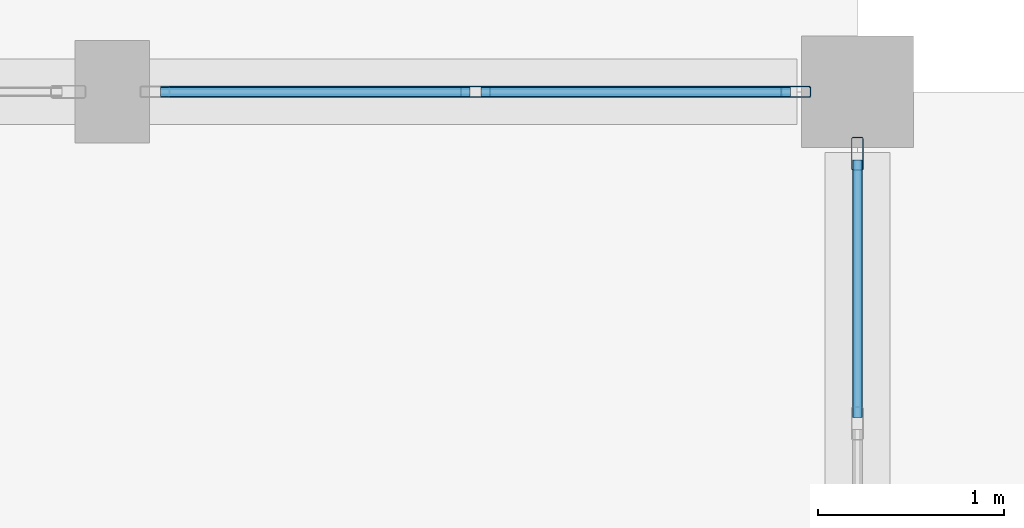
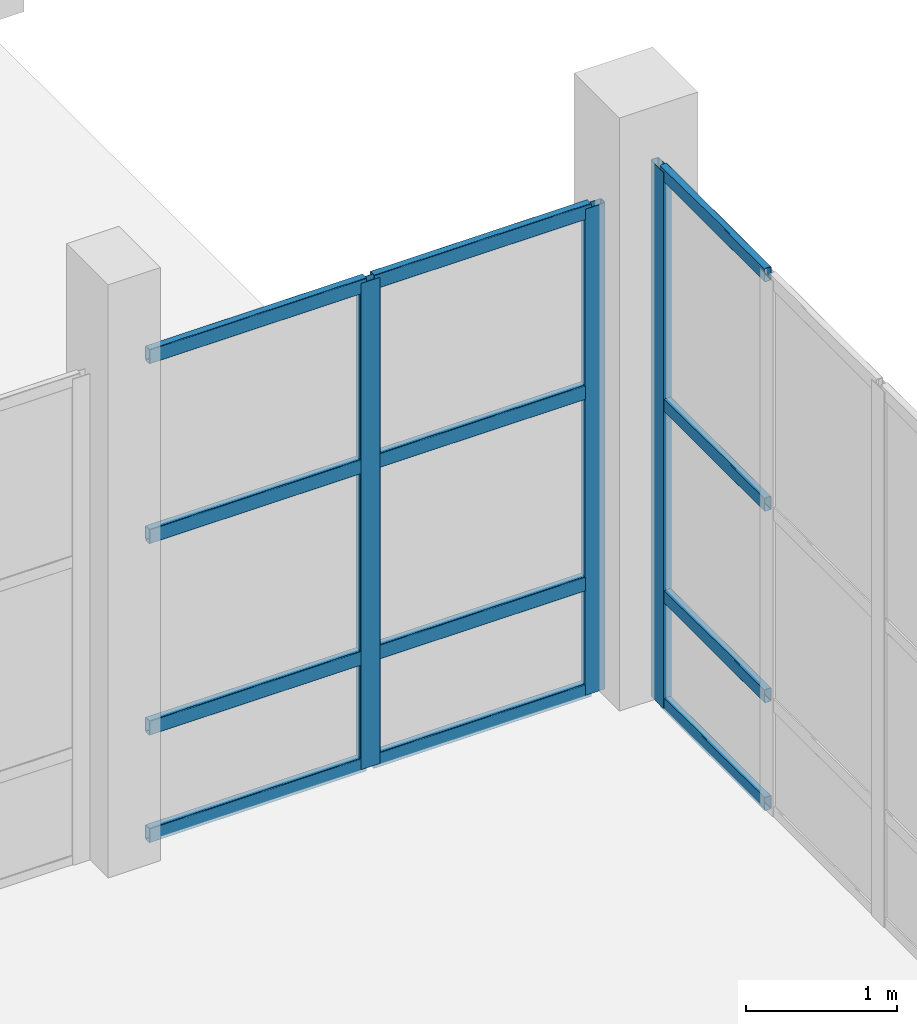
# One storey, part 72 of 156: 15 members, 2 elements without a shape of their own.
"""IFC4 building model written with IfcOpenShell, lengths in metres."""

from ifc_helpers import new_model, si_unit, direction, frame, origin, origin_2d, place, context, subcontext, project, spatial, hollow_rectangle, extrude, material, material_profile, profile_set, type_object, element, aggregate, save


model = new_model("IFC4")

# Units and contexts
model_context = context("Model", 3, precision=1e-05, world=origin(), true_north=direction((0.0, 1.0)))
body_context = subcontext(model_context, "Body", "Model", "MODEL_VIEW")
ifc_project = project(units=[si_unit("LENGTHUNIT", "METRE"), si_unit("AREAUNIT", "SQUARE_METRE"), si_unit("VOLUMEUNIT", "CUBIC_METRE"), si_unit("PLANEANGLEUNIT", "RADIAN"), si_unit("MASSUNIT", "GRAM", prefix="KILO")], contexts=[model_context])

# Site, building, storey
site_placement = place(None, origin())
site = spatial("IfcSite", under=ifc_project, at=site_placement, CompositionType="ELEMENT")
building_placement = place(site_placement, origin())
building = spatial("IfcBuilding", under=site, at=building_placement, Name="Luwemba Playhouse", CompositionType="ELEMENT")
storey_placement = place(building_placement, origin())
storey = spatial("IfcBuildingStorey", under=building, at=storey_placement, Name="L00", CompositionType="ELEMENT", Elevation=0.0)

# Curtain wall, members
ifc_material_1 = material(Name="Solar-control double glazing", Category="glass")
curtain_wall_type_1 = type_object("IfcCurtainWallType", Name="CW-CW57", PredefinedType="USERDEFINED", material=ifc_material_1)
curtain_wall_1_placement = place(storey_placement, origin())
curtain_wall_1 = element("IfcCurtainWall", 1, at=curtain_wall_1_placement, inside=storey, type_object=curtain_wall_type_1, Name="L00 V5E unitised curtain wall 067", ObjectType="UNITISED GLAZING", PredefinedType="USERDEFINED")
ifc_material_2 = material(Name="Aluminium 6063-T6", Category="aluminium")
ifc_material_profile_1 = material_profile(ifc_material_2, hollow_rectangle(XDim=0.06005859375, YDim=0.159912109375, WallThickness=0.00390625, InnerFilletRadius=0.006103515625, OuterFilletRadius=0.010009765625, at=origin_2d()))
ifc_profile_set_1 = profile_set([ifc_material_profile_1], Name="Aluminium 6063-T6")
member_type_1 = type_object("IfcMemberType", Name="CWM-M1", PredefinedType="MULLION", material=ifc_profile_set_1)
member_1_placement = place(storey_placement, frame((169.949951171875, 27.0, 0.0), z_axis=(0.0, 0.0, 1.0), x_axis=(0.0, 1.0, 0.0)))
member_1 = element("IfcMember", 2, at=member_1_placement, type_object=member_type_1, Name="CW57 mullion 2", PredefinedType="MULLION", context=body_context, shape_type="SweptSolid", body=[
    extrude(hollow_rectangle(XDim=0.06005859375, YDim=0.159912109375, WallThickness=0.00390625, InnerFilletRadius=0.006103515625, OuterFilletRadius=0.010009765625, at=origin_2d()), origin(), (0.0, 0.0, 1.0), 3.93505859375),
])
member_2_placement = place(storey_placement, frame((171.669921875, 27.0, 0.0), z_axis=(0.0, 0.0, 1.0), x_axis=(0.0, 1.0, 0.0)))
member_2 = element("IfcMember", 3, at=member_2_placement, type_object=member_type_1, Name="CW57 mullion 3", PredefinedType="MULLION", context=body_context, shape_type="SweptSolid", body=[
    extrude(hollow_rectangle(XDim=0.06005859375, YDim=0.159912109375, WallThickness=0.00390625, InnerFilletRadius=0.006103515625, OuterFilletRadius=0.010009765625, at=origin_2d()), origin(), (0.0, 0.0, 1.0), 3.93505859375),
])

# Curtain wall, member
curtain_wall_type_2 = type_object("IfcCurtainWallType", Name="CW-CW58", PredefinedType="USERDEFINED", material=ifc_material_1)
curtain_wall_2_placement = place(storey_placement, origin())
curtain_wall_2 = element("IfcCurtainWall", 4, at=curtain_wall_2_placement, inside=storey, type_object=curtain_wall_type_2, Name="L00 V5E unitised curtain wall 068", ObjectType="UNITISED GLAZING", PredefinedType="USERDEFINED")
ifc_material_profile_2 = material_profile(ifc_material_2, hollow_rectangle(XDim=0.06494140625, YDim=0.179931640625, WallThickness=0.00439453125, InnerFilletRadius=0.0068359375, OuterFilletRadius=0.01123046875, at=origin_2d()))
ifc_profile_set_2 = profile_set([ifc_material_profile_2], Name="Aluminium 6063-T6")
member_type_2 = type_object("IfcMemberType", Name="CWM-M2", PredefinedType="MULLION", material=ifc_profile_set_2)
member_3_placement = place(storey_placement, frame((172.0, 26.66748046875, 0.0), z_axis=(0.0, 0.0, 1.0), x_axis=(1.0, 0.0, 0.0)))
member_3 = element("IfcMember", 5, at=member_3_placement, type_object=member_type_2, Name="CW58 mullion 1", PredefinedType="MULLION", context=body_context, shape_type="SweptSolid", body=[
    extrude(hollow_rectangle(XDim=0.06494140625, YDim=0.179931640625, WallThickness=0.00439453125, InnerFilletRadius=0.0068359375, OuterFilletRadius=0.01123046875, at=origin_2d()), origin(), (0.0, 0.0, 1.0), 4.3349609375),
])

# Member
ifc_material_profile_3 = material_profile(ifc_material_2, hollow_rectangle(XDim=0.06005859375, YDim=0.1201171875, WallThickness=0.00390625, InnerFilletRadius=0.006103515625, OuterFilletRadius=0.010009765625, at=origin_2d()))
ifc_profile_set_3 = profile_set([ifc_material_profile_3], Name="Aluminium 6063-T6")
member_type_3 = type_object("IfcMemberType", Name="CWT-T1", PredefinedType="USERDEFINED", material=ifc_profile_set_3)
member_4_placement = place(storey_placement, frame((168.260009765625, 27.0, 0.030029296875), z_axis=(1.0, 0.0, 0.0), x_axis=(0.0, 1.0, 0.0)))
member_4 = element("IfcMember", 6, at=member_4_placement, type_object=member_type_3, Name="CW57 transom 1.1", ObjectType="TRANSOM", PredefinedType="USERDEFINED", context=body_context, shape_type="SweptSolid", body=[
    extrude(hollow_rectangle(XDim=0.06005859375, YDim=0.1201171875, WallThickness=0.00390625, InnerFilletRadius=0.006103515625, OuterFilletRadius=0.010009765625, at=origin_2d()), origin(), (0.0, 0.0, 1.0), 1.659912109375),
])

member_5_placement = place(storey_placement, frame((168.260009765625, 27.0, 0.89990234375), z_axis=(1.0, 0.0, 0.0), x_axis=(0.0, 1.0, 0.0)))
member_5 = element("IfcMember", 7, at=member_5_placement, type_object=member_type_3, Name="CW57 transom 1.2", ObjectType="TRANSOM", PredefinedType="USERDEFINED", context=body_context, shape_type="SweptSolid", body=[
    extrude(hollow_rectangle(XDim=0.06005859375, YDim=0.1201171875, WallThickness=0.00390625, InnerFilletRadius=0.006103515625, OuterFilletRadius=0.010009765625, at=origin_2d()), origin(), (0.0, 0.0, 1.0), 1.659912109375),
])

member_6_placement = place(storey_placement, frame((168.260009765625, 27.0, 2.449951171875), z_axis=(1.0, 0.0, 0.0), x_axis=(0.0, 1.0, 0.0)))
member_6 = element("IfcMember", 8, at=member_6_placement, type_object=member_type_3, Name="CW57 transom 1.3", ObjectType="TRANSOM", PredefinedType="USERDEFINED", context=body_context, shape_type="SweptSolid", body=[
    extrude(hollow_rectangle(XDim=0.06005859375, YDim=0.1201171875, WallThickness=0.00390625, InnerFilletRadius=0.006103515625, OuterFilletRadius=0.010009765625, at=origin_2d()), origin(), (0.0, 0.0, 1.0), 1.659912109375),
])

member_7_placement = place(storey_placement, frame((168.260009765625, 27.0, 3.905029296875), z_axis=(1.0, 0.0, 0.0), x_axis=(0.0, 1.0, 0.0)))
member_7 = element("IfcMember", 9, at=member_7_placement, type_object=member_type_3, Name="CW57 transom 1.4", ObjectType="TRANSOM", PredefinedType="USERDEFINED", context=body_context, shape_type="SweptSolid", body=[
    extrude(hollow_rectangle(XDim=0.06005859375, YDim=0.1201171875, WallThickness=0.00390625, InnerFilletRadius=0.006103515625, OuterFilletRadius=0.010009765625, at=origin_2d()), origin(), (0.0, 0.0, 1.0), 1.659912109375),
])

member_8_placement = place(storey_placement, frame((169.97998046875, 27.0, 0.030029296875), z_axis=(1.0, 0.0, 0.0), x_axis=(0.0, 1.0, 0.0)))
member_8 = element("IfcMember", 10, at=member_8_placement, type_object=member_type_3, Name="CW57 transom 2.1", ObjectType="TRANSOM", PredefinedType="USERDEFINED", context=body_context, shape_type="SweptSolid", body=[
    extrude(hollow_rectangle(XDim=0.06005859375, YDim=0.1201171875, WallThickness=0.00390625, InnerFilletRadius=0.006103515625, OuterFilletRadius=0.010009765625, at=origin_2d()), origin(), (0.0, 0.0, 1.0), 1.659912109375),
])

member_9_placement = place(storey_placement, frame((169.97998046875, 27.0, 0.89990234375), z_axis=(1.0, 0.0, 0.0), x_axis=(0.0, 1.0, 0.0)))
member_9 = element("IfcMember", 11, at=member_9_placement, type_object=member_type_3, Name="CW57 transom 2.2", ObjectType="TRANSOM", PredefinedType="USERDEFINED", context=body_context, shape_type="SweptSolid", body=[
    extrude(hollow_rectangle(XDim=0.06005859375, YDim=0.1201171875, WallThickness=0.00390625, InnerFilletRadius=0.006103515625, OuterFilletRadius=0.010009765625, at=origin_2d()), origin(), (0.0, 0.0, 1.0), 1.659912109375),
])

member_10_placement = place(storey_placement, frame((169.97998046875, 27.0, 2.449951171875), z_axis=(1.0, 0.0, 0.0), x_axis=(0.0, 1.0, 0.0)))
member_10 = element("IfcMember", 12, at=member_10_placement, type_object=member_type_3, Name="CW57 transom 2.3", ObjectType="TRANSOM", PredefinedType="USERDEFINED", context=body_context, shape_type="SweptSolid", body=[
    extrude(hollow_rectangle(XDim=0.06005859375, YDim=0.1201171875, WallThickness=0.00390625, InnerFilletRadius=0.006103515625, OuterFilletRadius=0.010009765625, at=origin_2d()), origin(), (0.0, 0.0, 1.0), 1.659912109375),
])

member_11_placement = place(storey_placement, frame((169.97998046875, 27.0, 3.905029296875), z_axis=(1.0, 0.0, 0.0), x_axis=(0.0, 1.0, 0.0)))
member_11 = element("IfcMember", 13, at=member_11_placement, type_object=member_type_3, Name="CW57 transom 2.4", ObjectType="TRANSOM", PredefinedType="USERDEFINED", context=body_context, shape_type="SweptSolid", body=[
    extrude(hollow_rectangle(XDim=0.06005859375, YDim=0.1201171875, WallThickness=0.00390625, InnerFilletRadius=0.006103515625, OuterFilletRadius=0.010009765625, at=origin_2d()), origin(), (0.0, 0.0, 1.0), 1.659912109375),
])

aggregate(curtain_wall_1, [member_1, member_2, member_4, member_5, member_6, member_7, member_8, member_9, member_10, member_11])

ifc_material_profile_4 = material_profile(ifc_material_2, hollow_rectangle(XDim=0.054931640625, YDim=0.110107421875, WallThickness=0.00341796875, InnerFilletRadius=0.00537109375, OuterFilletRadius=0.0087890625, at=origin_2d()))
ifc_profile_set_4 = profile_set([ifc_material_profile_4], Name="Aluminium 6063-T6")
member_type_4 = type_object("IfcMemberType", Name="CWT-T2", PredefinedType="USERDEFINED", material=ifc_profile_set_4)
member_12_placement = place(storey_placement, frame((172.0, 26.635009765625, 0.027587890625), z_axis=(0.0, -1.0, 0.0), x_axis=(1.0, 0.0, 0.0)))
member_12 = element("IfcMember", 14, at=member_12_placement, type_object=member_type_4, Name="CW58 transom 1.1", ObjectType="TRANSOM", PredefinedType="USERDEFINED", context=body_context, shape_type="SweptSolid", body=[
    extrude(hollow_rectangle(XDim=0.054931640625, YDim=0.110107421875, WallThickness=0.00341796875, InnerFilletRadius=0.00537109375, OuterFilletRadius=0.0087890625, at=origin_2d()), origin(), (0.0, 0.0, 1.0), 1.382568359375),
])

member_13_placement = place(storey_placement, frame((172.0, 26.635009765625, 0.89990234375), z_axis=(0.0, -1.0, 0.0), x_axis=(1.0, 0.0, 0.0)))
member_13 = element("IfcMember", 15, at=member_13_placement, type_object=member_type_4, Name="CW58 transom 1.2", ObjectType="TRANSOM", PredefinedType="USERDEFINED", context=body_context, shape_type="SweptSolid", body=[
    extrude(hollow_rectangle(XDim=0.054931640625, YDim=0.110107421875, WallThickness=0.00341796875, InnerFilletRadius=0.00537109375, OuterFilletRadius=0.0087890625, at=origin_2d()), origin(), (0.0, 0.0, 1.0), 1.382568359375),
])

member_14_placement = place(storey_placement, frame((172.0, 26.635009765625, 2.449951171875), z_axis=(0.0, -1.0, 0.0), x_axis=(1.0, 0.0, 0.0)))
member_14 = element("IfcMember", 16, at=member_14_placement, type_object=member_type_4, Name="CW58 transom 1.3", ObjectType="TRANSOM", PredefinedType="USERDEFINED", context=body_context, shape_type="SweptSolid", body=[
    extrude(hollow_rectangle(XDim=0.054931640625, YDim=0.110107421875, WallThickness=0.00341796875, InnerFilletRadius=0.00537109375, OuterFilletRadius=0.0087890625, at=origin_2d()), origin(), (0.0, 0.0, 1.0), 1.382568359375),
])

member_15_placement = place(storey_placement, frame((172.0, 26.635009765625, 4.3076171875), z_axis=(0.0, -1.0, 0.0), x_axis=(1.0, 0.0, 0.0)))
member_15 = element("IfcMember", 17, at=member_15_placement, type_object=member_type_4, Name="CW58 transom 1.4", ObjectType="TRANSOM", PredefinedType="USERDEFINED", context=body_context, shape_type="SweptSolid", body=[
    extrude(hollow_rectangle(XDim=0.054931640625, YDim=0.110107421875, WallThickness=0.00341796875, InnerFilletRadius=0.00537109375, OuterFilletRadius=0.0087890625, at=origin_2d()), origin(), (0.0, 0.0, 1.0), 1.382568359375),
])

aggregate(curtain_wall_2, [member_3, member_12, member_13, member_14, member_15])

save(model, "model.ifc")
